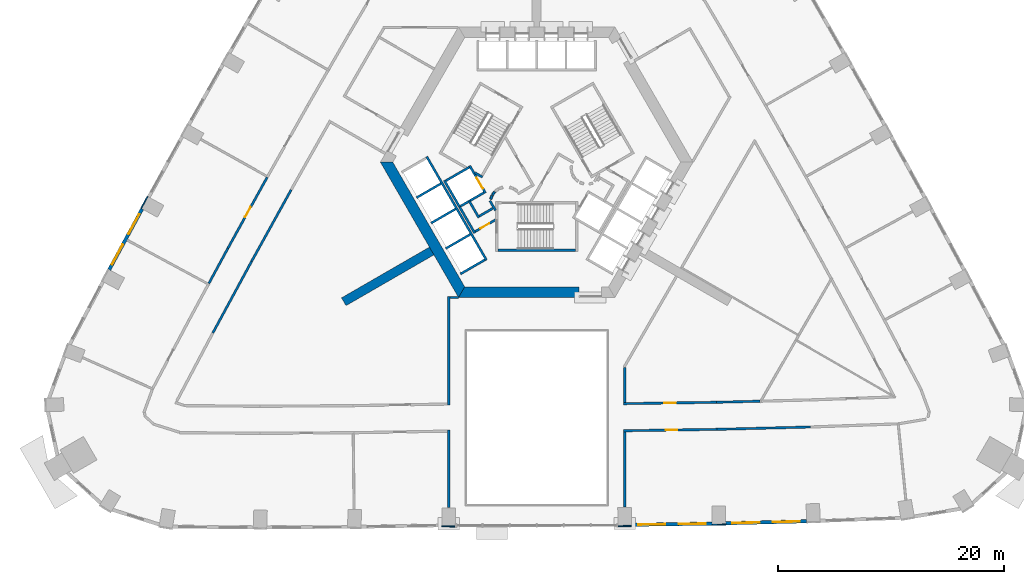
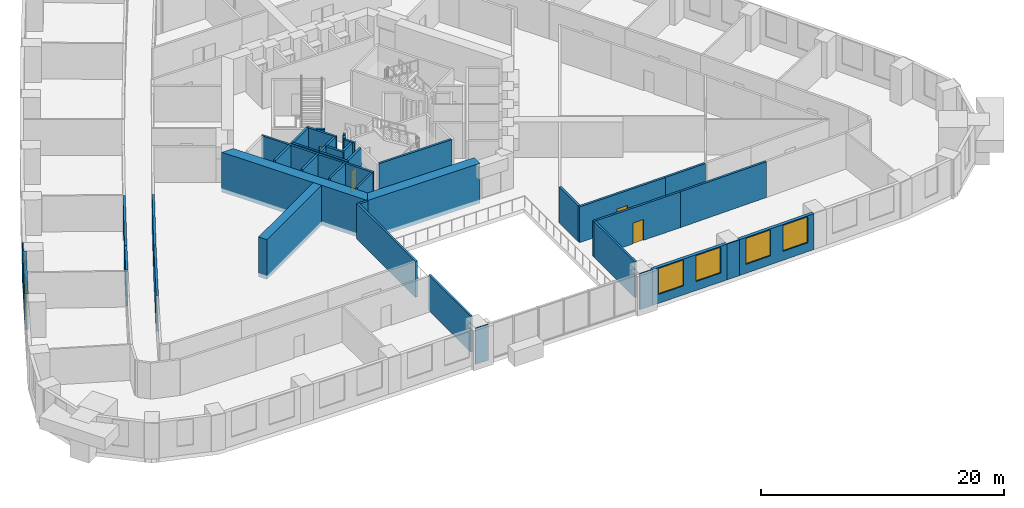
# One storey, part 5 of 15: 41 walls, 6 windows, 5 doors, 11 openings.
"""IFC4 building model written with IfcOpenShell, lengths in metres."""

from ifc_helpers import new_model, si_unit, direction, frame, frame_2d, origin, place, context, subcontext, project, spatial, polyline, rectangle, outline, extrude, material, layer, layer_set, type_object, element, fill, save


model = new_model("IFC4")

# Units and contexts
model_context = context("Model", 3, precision=1e-05, world=origin(), true_north=direction((0.0, 1.0)))
body_context = subcontext(model_context, "Body", "Model", "MODEL_VIEW")
ifc_project = project(units=[si_unit("LENGTHUNIT", "METRE"), si_unit("AREAUNIT", "SQUARE_METRE"), si_unit("VOLUMEUNIT", "CUBIC_METRE"), si_unit("PLANEANGLEUNIT", "RADIAN"), si_unit("MASSUNIT", "GRAM", prefix="KILO")], contexts=[model_context])

# Site, building, storey
site_placement = place(None, origin())
site = spatial("IfcSite", under=ifc_project, at=site_placement, CompositionType="ELEMENT")
building_placement = place(site_placement, origin())
building = spatial("IfcBuilding", under=site, at=building_placement, Name="Entoto Arch Interchange Tower", CompositionType="ELEMENT")
storey_placement = place(building_placement, frame((0.0, 0.0, 77.0)))
storey = spatial("IfcBuildingStorey", under=building, at=storey_placement, Name="L16", CompositionType="ELEMENT", Elevation=77.0)

# Walls
ifc_material_1 = material(Name="Concrete C60/75", Category="concrete")
ifc_layer_1 = layer(ifc_material_1, 0.800048828125)
ifc_layer_set_1 = layer_set([ifc_layer_1], Name="Concrete C60/75")
wall_type_1 = type_object("IfcWallType", Name="Buttress wall 800 C60/75", PredefinedType="SHEAR", material=ifc_layer_set_1)
wall_1_placement = place(storey_placement, frame((-9.31005859375, -5.375, -0.39990234375), z_axis=(0.0, 0.0, 1.0), x_axis=(-0.866017533419, -0.500013631625, 0.0)))
element("IfcWall", 1, at=wall_1_placement, inside=storey, type_object=wall_type_1, Name="Buttress wall SW L16", PredefinedType="SHEAR", context=body_context, shape_type="SweptSolid", body=[
    extrude(rectangle(XDim=8.999755859375, YDim=0.800048828125, at=frame_2d((4.5, 0.0))), origin(), (0.0, 0.0, 1.0), 4.0),
])
ifc_layer_2 = layer(ifc_material_1, 0.949951171875)
ifc_layer_set_2 = layer_set([ifc_layer_2], Name="Concrete C60/75")
wall_type_2 = type_object("IfcWallType", Name="Core wall 950 C60/75", PredefinedType="SHEAR", material=ifc_layer_set_2)
wall_2_placement = place(storey_placement, frame((0.0, 0.0, -0.39990234375)))
element("IfcWall", 2, at=wall_2_placement, inside=storey, type_object=wall_type_2, Name="Core wall SW L16", PredefinedType="SHEAR", context=body_context, shape_type="SweptSolid", body=[
    extrude(outline(polyline([(-13.85595703125, 2.5), (-6.927978515625, -9.5), (-6.3798828125, -8.550048828125), (-12.759033203125, 2.5), (-13.85595703125, 2.5)])), origin(), (0.0, 0.0, 1.0), 4.0),
])
wall_3_placement = place(storey_placement, frame((0.0, 0.0, -0.39990234375)))
element("IfcWall", 3, at=wall_3_placement, inside=storey, type_object=wall_type_2, Name="Core wall S L16", PredefinedType="SHEAR", context=body_context, shape_type="SweptSolid", body=[
    extrude(outline(polyline([(3.75, -9.5), (3.75, -8.550048828125), (-6.3798828125, -8.550048828125), (-6.927978515625, -9.5), (3.75, -9.5)])), origin(), (0.0, 0.0, 1.0), 4.0),
])

# Wall, opening, door
ifc_material_2 = material(Name="Concrete C40/50", Category="concrete")
ifc_layer_3 = layer(ifc_material_2, 0.199951171875)
ifc_layer_set_3 = layer_set([ifc_layer_3], Name="Concrete C40/50")
wall_type_3 = type_object("IfcWallType", Name="LIFT SHAFT WALL 200", PredefinedType="STANDARD", material=ifc_layer_set_3)
wall_4_placement = place(storey_placement, frame((-5.93994140625, 2.18798828125, 0.0), z_axis=(0.0, 0.0, 1.0), x_axis=(0.49994636267, -0.866056369097, 0.0)))
wall_4 = element("IfcWall", 4, at=wall_4_placement, inside=storey, type_object=wall_type_3, Name="Shaft wall SW1 front", PredefinedType="STANDARD", context=body_context, shape_type="SweptSolid", body=[
    extrude(rectangle(XDim=2.800048828125, YDim=0.199951171875, at=frame_2d((1.39990234375, 0.0))), origin(), (0.0, 0.0, 1.0), 3.60009765625),
])
opening_1_placement = place(wall_4_placement, frame((1.22509765625, 0.0, 0.0)))
opening_1 = element("IfcOpeningElement", 5, at=opening_1_placement, cuts=wall_4, Name="Opening LD-FF2-L16", PredefinedType="OPENING", context=body_context, shape_type="SweptSolid", body=[
    extrude(rectangle(XDim=1.10009765625, YDim=2.10009765625, at=frame_2d((0.550048828125, 1.050048828125))), frame((0.0, 0.10986328125, 0.0), z_axis=(0.0, -1.0, 0.0), x_axis=(1.0, 0.0, 0.0)), (0.0, 0.0, 1.0), 0.219970703125),
])
ifc_material_3 = material(Name="Stainless steel 1.4301 panels", Category="steel")
door_type_1 = type_object("IfcDoorType", Name="LIFT LANDING DOOR LD1 1100x2100", OperationType="SLIDING_TO_LEFT", PredefinedType="DOOR", material=ifc_material_3)
door_1_placement = place(opening_1_placement, origin())
door_1 = element("IfcDoor", 6, at=door_1_placement, inside=storey, type_object=door_type_1, Name="Lift landing door FF2 L16", OperationType="SLIDING_TO_LEFT", OverallHeight=2.10009765625, OverallWidth=1.10009765625, PredefinedType="DOOR", context=body_context, shape_type="SweptSolid", body=[
    extrude(rectangle(XDim=1.10009765625, YDim=2.10009765625, at=frame_2d((0.550048828125, 1.050048828125))), frame((0.0, 0.02490234375, 0.0), z_axis=(0.0, -1.0, 0.0), x_axis=(1.0, 0.0, 0.0)), (0.0, 0.0, 1.0), 0.050048828125),
])
fill(opening_1, door_1)

# Walls
wall_5_placement = place(storey_placement, frame((-8.19189453125, 0.887939453125, 0.0), z_axis=(0.0, 0.0, 1.0), x_axis=(0.49994636267, -0.866056369097, 0.0)))
element("IfcWall", 7, at=wall_5_placement, inside=storey, type_object=wall_type_3, Name="Shaft wall SW1 back", PredefinedType="STANDARD", context=body_context, shape_type="SweptSolid", body=[
    extrude(rectangle(XDim=2.800048828125, YDim=0.199951171875, at=frame_2d((1.39990234375, 0.0))), origin(), (0.0, 0.0, 1.0), 3.60009765625),
])
for number, where, z_axis, x_axis, name in (
    (8, (-5.97705078125, 2.052001953125, 0.0), (0.0, 0.0, 1.0), (-0.865973769406, -0.500089422704, 0.0), "Shaft wall SW1 cross 1"),
    (9, (-4.677001953125, -0.199951171875, 0.0), (0.0, 0.0, 1.0), (-0.865973769406, -0.500089422704, 0.0), "Shaft wall SW1 cross 2"),
):
    element("IfcWall", number, at=place(storey_placement, frame(where, z_axis=z_axis, x_axis=x_axis)), inside=storey, type_object=wall_type_3, Name=name, PredefinedType="STANDARD", context=body_context, shape_type="SweptSolid", body=[
        extrude(rectangle(XDim=2.3994140625, YDim=0.199951171875, at=frame_2d((1.19970703125, 0.0))), origin(), (0.0, 0.0, 1.0), 3.60009765625),
    ])
wall_6_placement = place(storey_placement, frame((-9.7509765625, 2.989990234375, 0.0), z_axis=(0.0, 0.0, 1.0), x_axis=(0.50000090737, -0.866024879913, 0.0)))
element("IfcWall", 10, at=wall_6_placement, inside=storey, type_object=wall_type_3, Name="Shaft wall SW3 front", PredefinedType="STANDARD", context=body_context, shape_type="SweptSolid", body=[
    extrude(rectangle(XDim=10.60009765625, YDim=0.199951171875, at=frame_2d((5.300048828125, 0.0))), origin(), (0.0, 0.0, 1.0), 3.60009765625),
])
for number, where, z_axis, x_axis, name in (
    (11, (-8.488037109375, 0.60205078125, 0.0), (0.0, 0.0, 1.0), (-0.866022959057, -0.500004234368, 0.0), "Shaft wall SW3 cross 2"),
    (12, (-7.18798828125, -1.64990234375, 0.0), (0.0, 0.0, 1.0), (-0.866022959057, -0.500004234368, 0.0), "Shaft wall SW3 cross 3"),
    (13, (-5.887939453125, -3.902099609375, 0.0), (0.0, 0.0, 1.0), (-0.866022959057, -0.500004234368, 0.0), "Shaft wall SW3 cross 4"),
    (14, (-4.587890625, -6.153076171875, 0.0), (0.0, 0.0, 1.0), (-0.866022959057, -0.500004234368, 0.0), "Shaft wall SW3 cross 5"),
):
    element("IfcWall", number, at=place(storey_placement, frame(where, z_axis=z_axis, x_axis=x_axis)), inside=storey, type_object=wall_type_3, Name=name, PredefinedType="STANDARD", context=body_context, shape_type="SweptSolid", body=[
        extrude(rectangle(XDim=2.5, YDim=0.199951171875, at=frame_2d((1.25, 0.0))), origin(), (0.0, 0.0, 1.0), 3.60009765625),
    ])

# Wall, opening, door
ifc_material_4 = material(Name="Gypsum board partition on steel studs", Category="steel")
ifc_layer_4 = layer(ifc_material_4, 0.199951171875)
ifc_layer_set_4 = layer_set([ifc_layer_4], Name="Gypsum board partition on steel studs")
wall_type_4 = type_object("IfcWallType", Name="PARTITION 200", PredefinedType="PARTITIONING", material=ifc_layer_set_4)
wall_7_placement = place(storey_placement, frame((7.699951171875, -18.912109375, 0.0), z_axis=(0.0, 0.0, 1.0), x_axis=(0.999888819649, 0.014911349423, 0.0)))
wall_7 = element("IfcWall", 15, at=wall_7_placement, inside=storey, type_object=wall_type_4, Name="wall:L16:p020", PredefinedType="PARTITIONING", context=body_context, shape_type="SweptSolid", body=[
    extrude(rectangle(XDim=8.251953125, YDim=0.199951171875, at=frame_2d((4.1259765625, 0.0))), origin(), (0.0, 0.0, 1.0), 3.60009765625),
])
opening_2_placement = place(wall_7_placement, frame((3.6259765625, 0.0, 0.0)))
opening_2 = element("IfcOpeningElement", 16, at=opening_2_placement, cuts=wall_7, Name="Opening L16-D20", PredefinedType="OPENING", context=body_context, shape_type="SweptSolid", body=[
    extrude(rectangle(XDim=1.0, YDim=2.10009765625, at=frame_2d((0.5, 1.050048828125))), frame((0.0, 0.10986328125, 0.0), z_axis=(0.0, -1.0, 0.0), x_axis=(1.0, 0.0, 0.0)), (0.0, 0.0, 1.0), 0.219970703125),
])
ifc_material_5 = material(Name="Timber door leaf in Steel S235 frame", Category="steel")
door_type_2 = type_object("IfcDoorType", Name="DOOR DS-10 1000x2100", OperationType="SINGLE_SWING_LEFT", PredefinedType="DOOR", material=ifc_material_5)
door_2_placement = place(opening_2_placement, origin())
door_2 = element("IfcDoor", 17, at=door_2_placement, inside=storey, type_object=door_type_2, Name="door:L16:20", OperationType="SINGLE_SWING_RIGHT", OverallHeight=2.10009765625, OverallWidth=1.0, PredefinedType="DOOR", context=body_context, shape_type="SweptSolid", body=[
    extrude(rectangle(XDim=1.0, YDim=2.10009765625, at=frame_2d((0.5, 1.050048828125))), frame((0.0, 0.02490234375, 0.0), z_axis=(0.0, -1.0, 0.0), x_axis=(1.0, 0.0, 0.0)), (0.0, 0.0, 1.0), 0.050048828125),
])
fill(opening_2, door_2)

# Walls
wall_8_placement = place(storey_placement, frame((15.950927734375, -18.7890625, 0.0), z_axis=(0.0, 0.0, 1.0), x_axis=(0.999680018084, 0.025295482688, 0.0)))
element("IfcWall", 18, at=wall_8_placement, inside=storey, type_object=wall_type_4, Name="wall:L16:p021", PredefinedType="PARTITIONING", context=body_context, shape_type="SweptSolid", body=[
    extrude(rectangle(XDim=3.84130859375, YDim=0.199951171875, at=frame_2d((1.920654296875, 0.0))), origin(), (0.0, 0.0, 1.0), 3.60009765625),
])
wall_9_placement = place(storey_placement, frame((-21.77001953125, 0.0458984375, 0.0), z_axis=(0.0, 0.0, 1.0), x_axis=(-0.484062485326, -0.875033433818, 0.0)))
element("IfcWall", 19, at=wall_9_placement, inside=storey, type_object=wall_type_4, Name="wall:L16:p031", PredefinedType="PARTITIONING", context=body_context, shape_type="SweptSolid", body=[
    extrude(rectangle(XDim=7.23046875, YDim=0.199951171875, at=frame_2d((3.615234375, 0.0))), origin(), (0.0, 0.0, 1.0), 3.60009765625),
])
wall_10_placement = place(storey_placement, frame((-25.27001953125, -6.281005859375, 0.0), z_axis=(0.0, 0.0, 1.0), x_axis=(-0.476128647722, -0.879375636926, 0.0)))
element("IfcWall", 20, at=wall_10_placement, inside=storey, type_object=wall_type_4, Name="wall:L16:p032", PredefinedType="PARTITIONING", context=body_context, shape_type="SweptSolid", body=[
    extrude(rectangle(XDim=7.22900390625, YDim=0.199951171875, at=frame_2d((3.614501953125, 0.0))), origin(), (0.0, 0.0, 1.0), 3.60009765625),
])
wall_11_placement = place(storey_placement, frame((24.281005859375, -20.97998046875, 0.0), z_axis=(0.0, 0.0, 1.0), x_axis=(-0.999681784235, -0.025225587575, 0.0)))
element("IfcWall", 21, at=wall_11_placement, inside=storey, type_object=wall_type_4, Name="wall:L16:p039", PredefinedType="PARTITIONING", context=body_context, shape_type="SweptSolid", body=[
    extrude(rectangle(XDim=8.28466796875, YDim=0.199951171875, at=frame_2d((4.142333984375, 0.0))), origin(), (0.0, 0.0, 1.0), 3.60009765625),
])

# Wall, opening, door
wall_12_placement = place(storey_placement, frame((15.9990234375, -21.18896484375, 0.0), z_axis=(0.0, 0.0, 1.0), x_axis=(-0.999888353348, -0.014942584753, 0.0)))
wall_12 = element("IfcWall", 22, at=wall_12_placement, inside=storey, type_object=wall_type_4, Name="wall:L16:p040", PredefinedType="PARTITIONING", context=body_context, shape_type="SweptSolid", body=[
    extrude(rectangle(XDim=8.300048828125, YDim=0.199951171875, at=frame_2d((4.14990234375, 0.0))), origin(), (0.0, 0.0, 1.0), 3.60009765625),
])
opening_3_placement = place(wall_12_placement, frame((3.550048828125, 0.0, 0.0)))
opening_3 = element("IfcOpeningElement", 23, at=opening_3_placement, cuts=wall_12, Name="Opening L16-D01", PredefinedType="OPENING", context=body_context, shape_type="SweptSolid", body=[
    extrude(rectangle(XDim=1.0, YDim=2.10009765625, at=frame_2d((0.5, 1.050048828125))), frame((0.0, 0.10986328125, 0.0), z_axis=(0.0, -1.0, 0.0), x_axis=(1.0, 0.0, 0.0)), (0.0, 0.0, 1.0), 0.219970703125),
])
door_3_placement = place(opening_3_placement, origin())
door_3 = element("IfcDoor", 24, at=door_3_placement, inside=storey, type_object=door_type_2, Name="door:L16:01", OperationType="SINGLE_SWING_LEFT", OverallHeight=2.10009765625, OverallWidth=1.0, PredefinedType="DOOR", context=body_context, shape_type="SweptSolid", body=[
    extrude(rectangle(XDim=1.0, YDim=2.10009765625, at=frame_2d((0.5, 1.050048828125))), frame((0.0, 0.02490234375, 0.0), z_axis=(0.0, -1.0, 0.0), x_axis=(1.0, 0.0, 0.0)), (0.0, 0.0, 1.0), 0.050048828125),
])
fill(opening_3, door_3)

# Wall
wall_13_placement = place(storey_placement, frame((-29.06591796875, -8.2509765625, 0.0), z_axis=(0.0, 0.0, 1.0), x_axis=(0.476123690619, 0.879378320878, 0.0)))
element("IfcWall", 25, at=wall_13_placement, inside=storey, type_object=wall_type_4, Name="wall:L16:p068", PredefinedType="PARTITIONING", context=body_context, shape_type="SweptSolid", body=[
    extrude(rectangle(XDim=3.551513671875, YDim=0.199951171875, at=frame_2d((1.77587890625, 0.0))), origin(), (0.0, 0.0, 1.0), 3.60009765625),
])

# Wall, opening, door
wall_14_placement = place(storey_placement, frame((-27.375, -5.1279296875, 0.0), z_axis=(0.0, 0.0, 1.0), x_axis=(0.484068035355, 0.875030363558, 0.0)))
wall_14 = element("IfcWall", 26, at=wall_14_placement, inside=storey, type_object=wall_type_4, Name="wall:L16:p069", PredefinedType="PARTITIONING", context=body_context, shape_type="SweptSolid", body=[
    extrude(rectangle(XDim=7.177001953125, YDim=0.199951171875, at=frame_2d((3.58837890625, 0.0))), origin(), (0.0, 0.0, 1.0), 3.60009765625),
])
opening_4_placement = place(wall_14_placement, frame((3.1630859375, 0.0, 0.0)))
opening_4 = element("IfcOpeningElement", 27, at=opening_4_placement, cuts=wall_14, Name="Opening L16-D16", PredefinedType="OPENING", context=body_context, shape_type="SweptSolid", body=[
    extrude(rectangle(XDim=1.0, YDim=2.10009765625, at=frame_2d((0.5, 1.050048828125))), frame((0.0, 0.10986328125, 0.0), z_axis=(0.0, -1.0, 0.0), x_axis=(1.0, 0.0, 0.0)), (0.0, 0.0, 1.0), 0.219970703125),
])
door_4_placement = place(opening_4_placement, origin())
door_4 = element("IfcDoor", 28, at=door_4_placement, inside=storey, type_object=door_type_2, Name="door:L16:16", OperationType="SINGLE_SWING_LEFT", OverallHeight=2.10009765625, OverallWidth=1.0, PredefinedType="DOOR", context=body_context, shape_type="SweptSolid", body=[
    extrude(rectangle(XDim=1.0, YDim=2.10009765625, at=frame_2d((0.5, 1.050048828125))), frame((0.0, 0.02490234375, 0.0), z_axis=(0.0, -1.0, 0.0), x_axis=(1.0, 0.0, 0.0)), (0.0, 0.0, 1.0), 0.050048828125),
])
fill(opening_4, door_4)

# Walls
wall_15_placement = place(storey_placement, frame((-3.89990234375, -1.59912109375, 0.0), z_axis=(0.0, 0.0, 1.0), x_axis=(-0.865969445389, -0.500096910261, 0.0)))
element("IfcWall", 29, at=wall_15_placement, inside=storey, type_object=wall_type_4, Name="wall:L16:p085", PredefinedType="PARTITIONING", context=body_context, shape_type="SweptSolid", body=[
    extrude(rectangle(XDim=1.373291015625, YDim=0.199951171875, at=frame_2d((0.6865234375, 0.0))), origin(), (0.0, 0.0, 1.0), 3.60009765625),
])
wall_16_placement = place(storey_placement, frame((-5.1259765625, -2.422119140625, 0.0), z_axis=(0.0, 0.0, 1.0), x_axis=(-0.500062241894, 0.865989465428, 0.0)))
element("IfcWall", 30, at=wall_16_placement, inside=storey, type_object=wall_type_4, Name="wall:L16:p086", PredefinedType="PARTITIONING", context=body_context, shape_type="SweptSolid", body=[
    extrude(rectangle(XDim=1.699951171875, YDim=0.199951171875, at=frame_2d((0.85009765625, 0.0))), origin(), (0.0, 0.0, 1.0), 3.60009765625),
])

# Wall, opening, door
wall_17_placement = place(storey_placement, frame((-3.64990234375, -2.610107421875, 0.0), z_axis=(0.0, 0.0, 1.0), x_axis=(-0.866072462134, -0.499918483688, 0.0)))
wall_17 = element("IfcWall", 31, at=wall_17_placement, inside=storey, type_object=wall_type_4, Name="wall:L16:p087", PredefinedType="PARTITIONING", context=body_context, shape_type="SweptSolid", body=[
    extrude(rectangle(XDim=2.084228515625, YDim=0.199951171875, at=frame_2d((1.0419921875, 0.0))), origin(), (0.0, 0.0, 1.0), 3.60009765625),
])
opening_5_placement = place(wall_17_placement, frame((0.64208984375, 0.0, 0.0)))
opening_5 = element("IfcOpeningElement", 32, at=opening_5_placement, cuts=wall_17, Name="Opening L16-D36", PredefinedType="OPENING", context=body_context, shape_type="SweptSolid", body=[
    extrude(rectangle(XDim=0.89990234375, YDim=2.10009765625, at=frame_2d((0.449951171875, 1.050048828125))), frame((0.0, 0.10986328125, 0.0), z_axis=(0.0, -1.0, 0.0), x_axis=(1.0, 0.0, 0.0)), (0.0, 0.0, 1.0), 0.219970703125),
])
door_type_3 = type_object("IfcDoorType", Name="DOOR DS-09 900x2100", OperationType="SINGLE_SWING_LEFT", PredefinedType="DOOR", material=ifc_material_5)
door_5_placement = place(opening_5_placement, origin())
door_5 = element("IfcDoor", 33, at=door_5_placement, inside=storey, type_object=door_type_3, Name="door:L16:36", OperationType="SINGLE_SWING_LEFT", OverallHeight=2.10009765625, OverallWidth=0.89990234375, PredefinedType="DOOR", context=body_context, shape_type="SweptSolid", body=[
    extrude(rectangle(XDim=0.89990234375, YDim=2.10009765625, at=frame_2d((0.449951171875, 1.050048828125))), frame((0.0, 0.02490234375, 0.0), z_axis=(0.0, -1.0, 0.0), x_axis=(1.0, 0.0, 0.0)), (0.0, 0.0, 1.0), 0.050048828125),
])
fill(opening_5, door_5)

# Walls
wall_18_placement = place(storey_placement, frame((-5.491943359375, -3.7880859375, 0.0), z_axis=(0.0, 0.0, 1.0), x_axis=(-0.500008949224, 0.866020236886, 0.0)))
element("IfcWall", 34, at=wall_18_placement, inside=storey, type_object=wall_type_4, Name="wall:L16:p088", PredefinedType="PARTITIONING", context=body_context, shape_type="SweptSolid", body=[
    extrude(rectangle(XDim=2.68017578125, YDim=0.199951171875, at=frame_2d((1.340087890625, 0.0))), origin(), (0.0, 0.0, 1.0), 3.60009765625),
])
wall_19_placement = place(storey_placement, frame((-4.14501953125, -0.919921875, 0.0), z_axis=(0.0, 0.0, 1.0), x_axis=(0.499743786207, -0.866173278362, 0.0)))
element("IfcWall", 35, at=wall_19_placement, inside=storey, type_object=wall_type_4, Name="wall:L16:p089", PredefinedType="PARTITIONING", context=body_context, shape_type="SweptSolid", body=[
    extrude(rectangle(XDim=0.99072265625, YDim=0.199951171875, at=frame_2d((0.495361328125, 0.0))), origin(), (0.0, 0.0, 1.0), 3.60009765625),
])
wall_20_placement = place(storey_placement, frame((-3.722900390625, -0.131103515625, 0.0), z_axis=(0.0, 0.0, 1.0), x_axis=(-0.594675113454, -0.803966112121, 0.0)))
element("IfcWall", 36, at=wall_20_placement, inside=storey, type_object=wall_type_4, Name="wall:L16:p107", PredefinedType="PARTITIONING", context=body_context, shape_type="SweptSolid", body=[
    extrude(rectangle(XDim=0.33837890625, YDim=0.199951171875, at=frame_2d((0.169189453125, 0.0))), origin(), (0.0, 0.0, 1.0), 3.60009765625),
])
wall_21_placement = place(storey_placement, frame((-3.9599609375, -0.469970703125, 0.0), z_axis=(0.0, 0.0, 1.0), x_axis=(-0.334824194261, -0.942280615813, 0.0)))
element("IfcWall", 37, at=wall_21_placement, inside=storey, type_object=wall_type_4, Name="wall:L16:p108", PredefinedType="PARTITIONING", context=body_context, shape_type="SweptSolid", body=[
    extrude(rectangle(XDim=0.337646484375, YDim=0.199951171875, at=frame_2d((0.1689453125, 0.0))), origin(), (0.0, 0.0, 1.0), 3.60009765625),
])
wall_22_placement = place(storey_placement, frame((7.800048828125, -15.68994140625, 0.0), z_axis=(0.0, 0.0, 1.0), x_axis=(0.0, -1.0, 0.0)))
element("IfcWall", 38, at=wall_22_placement, inside=storey, type_object=wall_type_4, Name="wall:L16:p109", PredefinedType="PARTITIONING", context=body_context, shape_type="SweptSolid", body=[
    extrude(rectangle(XDim=3.12109375, YDim=0.199951171875, at=frame_2d((1.560546875, 0.0))), origin(), (0.0, 0.0, 1.0), 3.60009765625),
])
wall_23_placement = place(storey_placement, frame((-7.800048828125, -19.0458984375, 0.0), z_axis=(0.0, 0.0, 1.0), x_axis=(0.0, 1.0, 0.0)))
element("IfcWall", 39, at=wall_23_placement, inside=storey, type_object=wall_type_4, Name="wall:L16:p110", PredefinedType="PARTITIONING", context=body_context, shape_type="SweptSolid", body=[
    extrude(rectangle(XDim=9.64697265625, YDim=0.199951171875, at=frame_2d((4.823486328125, 0.0))), origin(), (0.0, 0.0, 1.0), 3.60009765625),
])
wall_24_placement = place(storey_placement, frame((-7.699951171875, -9.4990234375, 0.0), z_axis=(0.0, 0.0, 1.0), x_axis=(1.0, 0.0, 0.0)))
element("IfcWall", 40, at=wall_24_placement, inside=storey, type_object=wall_type_4, Name="wall:L16:p111", PredefinedType="PARTITIONING", context=body_context, shape_type="SweptSolid", body=[
    extrude(rectangle(XDim=0.77099609375, YDim=0.199951171875, at=frame_2d((0.385498046875, 0.0))), origin(), (0.0, 0.0, 1.0), 3.60009765625),
])
wall_25_placement = place(storey_placement, frame((7.800048828125, -21.410888671875, 0.0), z_axis=(0.0, 0.0, 1.0), x_axis=(0.0, -1.0, 0.0)))
element("IfcWall", 41, at=wall_25_placement, inside=storey, type_object=wall_type_4, Name="wall:L16:p112", PredefinedType="PARTITIONING", context=body_context, shape_type="SweptSolid", body=[
    extrude(rectangle(XDim=6.68115234375, YDim=0.199951171875, at=frame_2d((3.340576171875, 0.0))), origin(), (0.0, 0.0, 1.0), 3.60009765625),
])
wall_26_placement = place(storey_placement, frame((-7.800048828125, -28.1259765625, 0.0), z_axis=(0.0, 0.0, 1.0), x_axis=(0.0, 1.0, 0.0)))
element("IfcWall", 42, at=wall_26_placement, inside=storey, type_object=wall_type_4, Name="wall:L16:p113", PredefinedType="PARTITIONING", context=body_context, shape_type="SweptSolid", body=[
    extrude(rectangle(XDim=6.8798828125, YDim=0.199951171875, at=frame_2d((3.43994140625, 0.0))), origin(), (0.0, 0.0, 1.0), 3.60009765625),
])
ifc_layer_5 = layer(ifc_material_2, 0.199951171875)
ifc_layer_set_5 = layer_set([ifc_layer_5], Name="Concrete C40/50")
wall_type_5 = type_object("IfcWallType", Name="STAIR ENCLOSURE WALL 200", PredefinedType="STANDARD", material=ifc_layer_set_5)
wall_27_placement = place(storey_placement, frame((-3.449951171875, -5.300048828125, 0.0), z_axis=(0.0, 0.0, 1.0), x_axis=(1.0, 0.0, 0.0)))
element("IfcWall", 43, at=wall_27_placement, inside=storey, type_object=wall_type_5, Name="Stair wall ST-S back", PredefinedType="STANDARD", context=body_context, shape_type="SweptSolid", body=[
    extrude(rectangle(XDim=6.89990234375, YDim=0.199951171875, at=frame_2d((3.449951171875, 0.0))), origin(), (0.0, 0.0, 1.0), 3.60009765625),
])
wall_28_placement = place(storey_placement, frame((-4.805908203125, 1.176025390625, 0.0), z_axis=(0.0, 0.0, 1.0), x_axis=(-0.866558586415, 0.499075361355, 0.0)))
element("IfcWall", 44, at=wall_28_placement, inside=storey, type_object=wall_type_5, Name="Stair wall ST-NW far return", PredefinedType="STANDARD", context=body_context, shape_type="SweptSolid", body=[
    extrude(rectangle(XDim=0.75146484375, YDim=0.199951171875, at=frame_2d((0.375732421875, 0.0))), origin(), (0.0, 0.0, 1.0), 3.60009765625),
])

# Wall, openings, windows
ifc_material_6 = material(Name="Welded tuff (ignimbrite) cladding, warm buff", Category="masonry")
ifc_layer_6 = layer(ifc_material_6, 0.300048828125)
ifc_layer_set_6 = layer_set([ifc_layer_6], Name="Welded tuff (ignimbrite) cladding, warm buff")
wall_type_6 = type_object("IfcWallType", Name="STONE INFILL WALL 300", PredefinedType="STANDARD", material=ifc_layer_set_6)
wall_29_placement = place(storey_placement, frame((8.39794921875, -29.653076171875, 0.0), z_axis=(0.0, 0.0, 1.0), x_axis=(0.999888301342, 0.014946064363, 0.0)))
wall_29 = element("IfcWall", 45, at=wall_29_placement, inside=storey, type_object=wall_type_6, Name="Facade wall S-05 L16", PredefinedType="STANDARD", context=body_context, shape_type="SweptSolid", body=[
    extrude(rectangle(XDim=7.1708984375, YDim=0.300048828125, at=frame_2d((3.58544921875, 0.0))), origin(), (0.0, 0.0, 1.0), 3.60009765625),
])
opening_6_placement = place(wall_29_placement, frame((0.593017578125, 0.0, 0.89990234375)))
opening_6 = element("IfcOpeningElement", 46, at=opening_6_placement, cuts=wall_29, Name="Opening WO-A", PredefinedType="OPENING", context=body_context, shape_type="SweptSolid", body=[
    extrude(rectangle(XDim=2.39990234375, YDim=2.60009765625, at=frame_2d((1.199951171875, 1.300048828125))), frame((0.0, 0.16015625, 0.0), z_axis=(0.0, -1.0, 0.0), x_axis=(1.0, 0.0, 0.0)), (0.0, 0.0, 1.0), 0.320068359375),
])
opening_7_placement = place(wall_29_placement, frame((4.177978515625, 0.0, 0.89990234375)))
opening_7 = element("IfcOpeningElement", 47, at=opening_7_placement, cuts=wall_29, Name="Opening WO-A", PredefinedType="OPENING", context=body_context, shape_type="SweptSolid", body=[
    extrude(rectangle(XDim=2.39990234375, YDim=2.60009765625, at=frame_2d((1.199951171875, 1.300048828125))), frame((0.0, 0.16015625, 0.0), z_axis=(0.0, -1.0, 0.0), x_axis=(1.0, 0.0, 0.0)), (0.0, 0.0, 1.0), 0.320068359375),
])
ifc_material_7 = material(Name="Clear glass, low-e double glazed", Category="glass")
window_type_1 = type_object("IfcWindowType", Name="WINDOW WO-A 2400x2600", PartitioningType="DOUBLE_PANEL_VERTICAL", PredefinedType="WINDOW", material=ifc_material_7)
window_1_placement = place(opening_6_placement, origin())
window_1 = element("IfcWindow", 48, at=window_1_placement, inside=storey, type_object=window_type_1, Name="Window WO-A S-05 L16", OverallHeight=2.60009765625, OverallWidth=2.39990234375, PartitioningType="SINGLE_PANEL", PredefinedType="WINDOW", context=body_context, shape_type="SweptSolid", body=[
    extrude(rectangle(XDim=2.39990234375, YDim=2.60009765625, at=frame_2d((1.199951171875, 1.300048828125))), frame((0.0, 0.030029296875, 0.0), z_axis=(0.0, -1.0, 0.0), x_axis=(1.0, 0.0, 0.0)), (0.0, 0.0, 1.0), 0.06005859375),
])
fill(opening_6, window_1)
window_2_placement = place(opening_7_placement, origin())
window_2 = element("IfcWindow", 49, at=window_2_placement, inside=storey, type_object=window_type_1, Name="Window WO-A S-05 L16", OverallHeight=2.60009765625, OverallWidth=2.39990234375, PartitioningType="SINGLE_PANEL", PredefinedType="WINDOW", context=body_context, shape_type="SweptSolid", body=[
    extrude(rectangle(XDim=2.39990234375, YDim=2.60009765625, at=frame_2d((1.199951171875, 1.300048828125))), frame((0.0, 0.030029296875, 0.0), z_axis=(0.0, -1.0, 0.0), x_axis=(1.0, 0.0, 0.0)), (0.0, 0.0, 1.0), 0.06005859375),
])
fill(opening_7, window_2)

wall_30_placement = place(storey_placement, frame((16.764892578125, -29.52197265625, 0.0), z_axis=(0.0, 0.0, 1.0), x_axis=(0.999681944744, 0.025219225856, 0.0)))
wall_30 = element("IfcWall", 50, at=wall_30_placement, inside=storey, type_object=wall_type_6, Name="Facade wall S-06 L16", PredefinedType="STANDARD", context=body_context, shape_type="SweptSolid", body=[
    extrude(rectangle(XDim=7.17333984375, YDim=0.300048828125, at=frame_2d((3.586669921875, 0.0))), origin(), (0.0, 0.0, 1.0), 3.60009765625),
])
opening_8_placement = place(wall_30_placement, frame((0.593017578125, 0.0, 0.89990234375)))
opening_8 = element("IfcOpeningElement", 51, at=opening_8_placement, cuts=wall_30, Name="Opening WO-A", PredefinedType="OPENING", context=body_context, shape_type="SweptSolid", body=[
    extrude(rectangle(XDim=2.39990234375, YDim=2.60009765625, at=frame_2d((1.199951171875, 1.300048828125))), frame((0.0, 0.16015625, 0.0), z_axis=(0.0, -1.0, 0.0), x_axis=(1.0, 0.0, 0.0)), (0.0, 0.0, 1.0), 0.320068359375),
])
opening_9_placement = place(wall_30_placement, frame((4.179931640625, 0.0, 0.89990234375)))
opening_9 = element("IfcOpeningElement", 52, at=opening_9_placement, cuts=wall_30, Name="Opening WO-A", PredefinedType="OPENING", context=body_context, shape_type="SweptSolid", body=[
    extrude(rectangle(XDim=2.39990234375, YDim=2.60009765625, at=frame_2d((1.199951171875, 1.300048828125))), frame((0.0, 0.16015625, 0.0), z_axis=(0.0, -1.0, 0.0), x_axis=(1.0, 0.0, 0.0)), (0.0, 0.0, 1.0), 0.320068359375),
])
window_3_placement = place(opening_8_placement, origin())
window_3 = element("IfcWindow", 53, at=window_3_placement, inside=storey, type_object=window_type_1, Name="Window WO-A S-06 L16", OverallHeight=2.60009765625, OverallWidth=2.39990234375, PartitioningType="SINGLE_PANEL", PredefinedType="WINDOW", context=body_context, shape_type="SweptSolid", body=[
    extrude(rectangle(XDim=2.39990234375, YDim=2.60009765625, at=frame_2d((1.199951171875, 1.300048828125))), frame((0.0, 0.030029296875, 0.0), z_axis=(0.0, -1.0, 0.0), x_axis=(1.0, 0.0, 0.0)), (0.0, 0.0, 1.0), 0.06005859375),
])
fill(opening_8, window_3)
window_4_placement = place(opening_9_placement, origin())
window_4 = element("IfcWindow", 54, at=window_4_placement, inside=storey, type_object=window_type_1, Name="Window WO-A S-06 L16", OverallHeight=2.60009765625, OverallWidth=2.39990234375, PartitioningType="SINGLE_PANEL", PredefinedType="WINDOW", context=body_context, shape_type="SweptSolid", body=[
    extrude(rectangle(XDim=2.39990234375, YDim=2.60009765625, at=frame_2d((1.199951171875, 1.300048828125))), frame((0.0, 0.030029296875, 0.0), z_axis=(0.0, -1.0, 0.0), x_axis=(1.0, 0.0, 0.0)), (0.0, 0.0, 1.0), 0.06005859375),
])
fill(opening_9, window_4)

wall_31_placement = place(storey_placement, frame((-34.98388671875, -1.64501953125, 0.0), z_axis=(0.0, 0.0, 1.0), x_axis=(-0.476174096946, -0.879351027404, 0.0)))
wall_31 = element("IfcWall", 55, at=wall_31_placement, inside=storey, type_object=wall_type_6, Name="Facade wall NW-08 L16", PredefinedType="STANDARD", context=body_context, shape_type="SweptSolid", body=[
    extrude(rectangle(XDim=6.130615234375, YDim=0.300048828125, at=frame_2d((3.0654296875, 0.0))), origin(), (0.0, 0.0, 1.0), 3.60009765625),
])
opening_10_placement = place(wall_31_placement, frame((0.532958984375, 0.0, 0.89990234375)))
opening_10 = element("IfcOpeningElement", 56, at=opening_10_placement, cuts=wall_31, Name="Opening WO-C", PredefinedType="OPENING", context=body_context, shape_type="SweptSolid", body=[
    extrude(rectangle(XDim=2.0, YDim=2.60009765625, at=frame_2d((1.0, 1.300048828125))), frame((0.0, 0.16015625, 0.0), z_axis=(0.0, -1.0, 0.0), x_axis=(1.0, 0.0, 0.0)), (0.0, 0.0, 1.0), 0.320068359375),
])
opening_11_placement = place(wall_31_placement, frame((3.597900390625, 0.0, 0.89990234375)))
opening_11 = element("IfcOpeningElement", 57, at=opening_11_placement, cuts=wall_31, Name="Opening WO-C", PredefinedType="OPENING", context=body_context, shape_type="SweptSolid", body=[
    extrude(rectangle(XDim=2.0, YDim=2.60009765625, at=frame_2d((1.0, 1.300048828125))), frame((0.0, 0.16015625, 0.0), z_axis=(0.0, -1.0, 0.0), x_axis=(1.0, 0.0, 0.0)), (0.0, 0.0, 1.0), 0.320068359375),
])
window_type_2 = type_object("IfcWindowType", Name="WINDOW WO-C 2000x2600", PartitioningType="DOUBLE_PANEL_VERTICAL", PredefinedType="WINDOW", material=ifc_material_7)
window_5_placement = place(opening_10_placement, origin())
window_5 = element("IfcWindow", 58, at=window_5_placement, inside=storey, type_object=window_type_2, Name="Window WO-C NW-08 L16", OverallHeight=2.60009765625, OverallWidth=2.0, PartitioningType="SINGLE_PANEL", PredefinedType="WINDOW", context=body_context, shape_type="SweptSolid", body=[
    extrude(rectangle(XDim=2.0, YDim=2.60009765625, at=frame_2d((1.0, 1.300048828125))), frame((0.0, 0.030029296875, 0.0), z_axis=(0.0, -1.0, 0.0), x_axis=(1.0, 0.0, 0.0)), (0.0, 0.0, 1.0), 0.06005859375),
])
fill(opening_10, window_5)
window_6_placement = place(opening_11_placement, origin())
window_6 = element("IfcWindow", 59, at=window_6_placement, inside=storey, type_object=window_type_2, Name="Window WO-C NW-08 L16", OverallHeight=2.60009765625, OverallWidth=2.0, PartitioningType="SINGLE_PANEL", PredefinedType="WINDOW", context=body_context, shape_type="SweptSolid", body=[
    extrude(rectangle(XDim=2.0, YDim=2.60009765625, at=frame_2d((1.0, 1.300048828125))), frame((0.0, 0.030029296875, 0.0), z_axis=(0.0, -1.0, 0.0), x_axis=(1.0, 0.0, 0.0)), (0.0, 0.0, 1.0), 0.06005859375),
])
fill(opening_11, window_6)

# Walls
ifc_layer_7 = layer(ifc_material_6, 0.10009765625)
ifc_layer_set_7 = layer_set([ifc_layer_7], Name="Welded tuff (ignimbrite) cladding, warm buff")
wall_type_7 = type_object("IfcWallType", Name="STONE PIER CLADDING 100", PredefinedType="STANDARD", material=ifc_layer_set_7)
wall_32_placement = place(storey_placement, frame((-34.5, -0.5439453125, 0.0), z_axis=(0.0, 0.0, 1.0), x_axis=(-0.478267644701, -0.878214131082, 0.0)))
element("IfcWall", 60, at=wall_32_placement, inside=storey, type_object=wall_type_7, Name="Stone pier NW08 L16", PredefinedType="STANDARD", context=body_context, shape_type="SweptSolid", body=[
    extrude(rectangle(XDim=1.2001953125, YDim=0.10009765625, at=frame_2d((0.60009765625, 0.0))), origin(), (0.0, 0.0, 1.0), 3.60009765625),
])
for number, where, z_axis, x_axis, name in (
    (61, (-8.39990234375, -29.791015625, 0.0), (0.0, 0.0, 1.0), (0.999965208912, -0.008341520563, 0.0), "Stone pier S04 L16"),
    (62, (7.199951171875, -29.76708984375, 0.0), (0.0, 0.0, 1.0), (0.999965208912, 0.008341520563, 0.0), "Stone pier S05 L16"),
):
    element("IfcWall", number, at=place(storey_placement, frame(where, z_axis=z_axis, x_axis=x_axis)), inside=storey, type_object=wall_type_7, Name=name, PredefinedType="STANDARD", context=body_context, shape_type="SweptSolid", body=[
        extrude(rectangle(XDim=1.199951171875, YDim=0.10009765625, at=frame_2d((0.60009765625, 0.0))), origin(), (0.0, 0.0, 1.0), 3.60009765625),
    ])
wall_33_placement = place(storey_placement, frame((15.569091796875, -29.64990234375, 0.0), z_axis=(0.0, 0.0, 1.0), x_axis=(0.99976752127, 0.021561618973, 0.0)))
element("IfcWall", 63, at=wall_33_placement, inside=storey, type_object=wall_type_7, Name="Stone pier S06 L16", PredefinedType="STANDARD", context=body_context, shape_type="SweptSolid", body=[
    extrude(rectangle(XDim=1.2001953125, YDim=0.10009765625, at=frame_2d((0.60009765625, 0.0))), origin(), (0.0, 0.0, 1.0), 3.60009765625),
])

save(model, "model.ifc")
